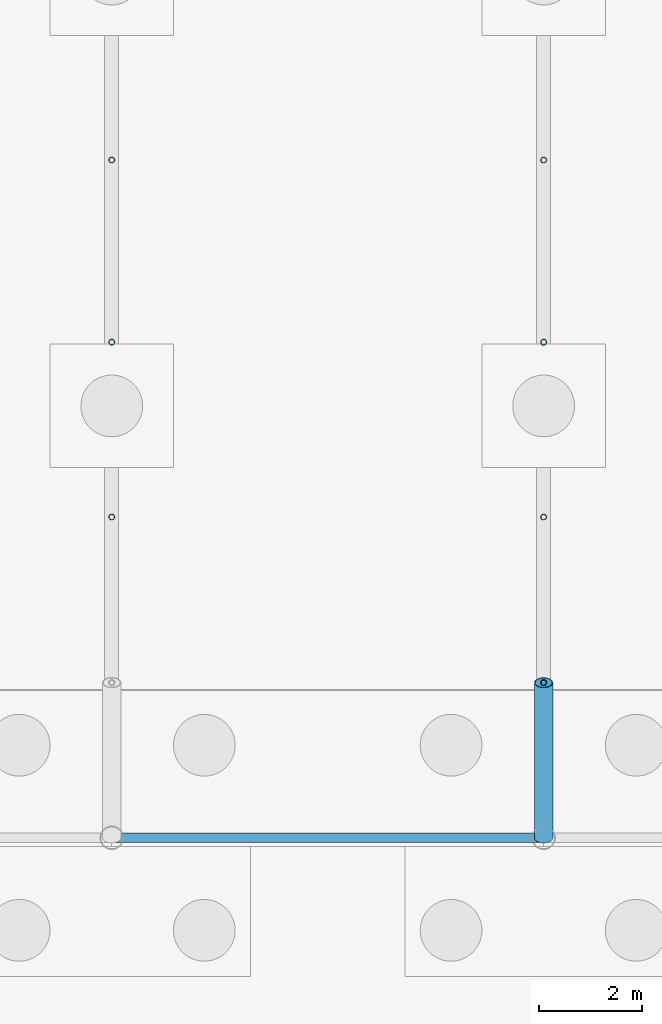
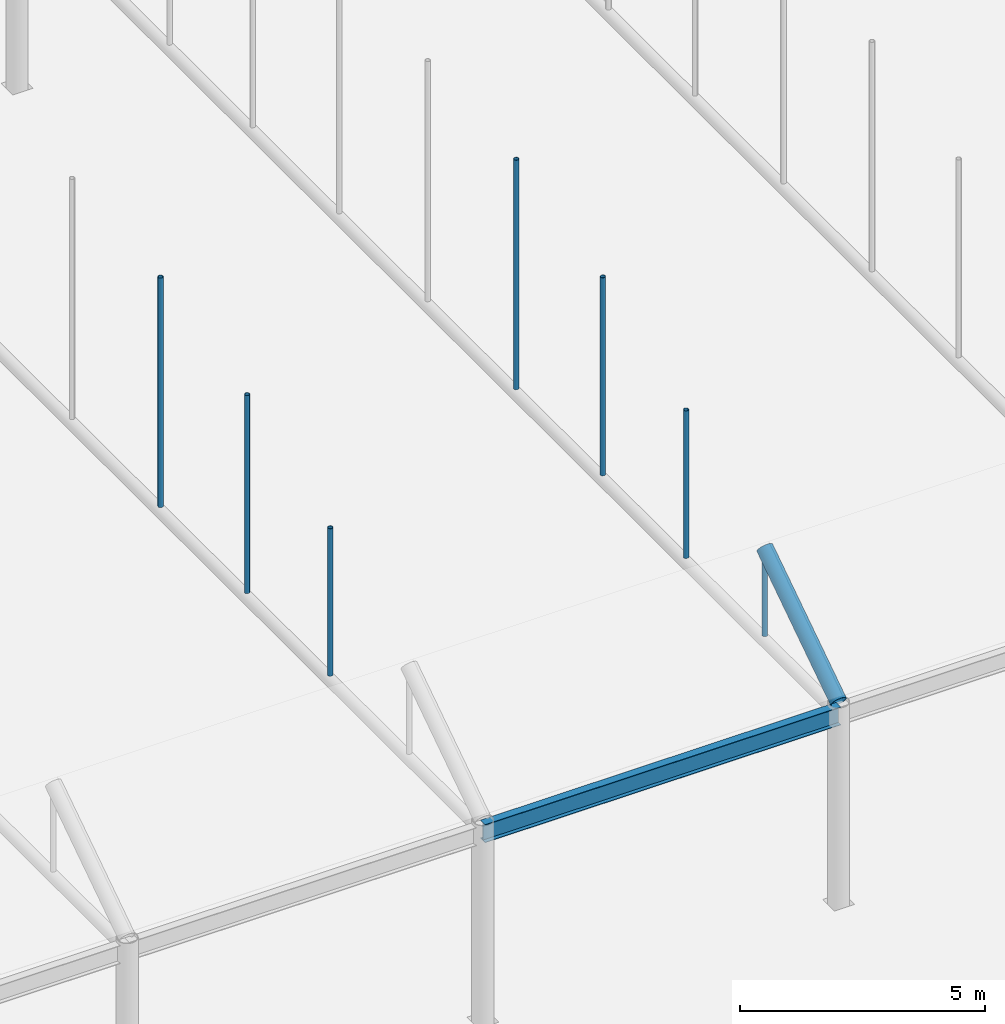
# One storey, part 61 of 212: 8 members, 1 beam.
"""IFC4 building model written with IfcOpenShell, lengths in metres."""

from ifc_helpers import new_model, si_unit, direction, frame, origin, origin_2d, place, context, subcontext, project, spatial, hollow_circle, i_section, extrude, material, material_profile, profile_set, type_object, element, save


model = new_model("IFC4")

# Units and contexts
model_context = context("Model", 3, precision=1e-05, world=origin(), true_north=direction((0.0, 1.0)))
body_context = subcontext(model_context, "Body", "Model", "MODEL_VIEW")
ifc_project = project(units=[si_unit("LENGTHUNIT", "METRE"), si_unit("AREAUNIT", "SQUARE_METRE"), si_unit("VOLUMEUNIT", "CUBIC_METRE"), si_unit("PLANEANGLEUNIT", "RADIAN"), si_unit("MASSUNIT", "GRAM", prefix="KILO")], contexts=[model_context])

# Site, building, storey
site_placement = place(None, origin())
site = spatial("IfcSite", under=ifc_project, at=site_placement, CompositionType="ELEMENT")
building_placement = place(site_placement, origin())
building = spatial("IfcBuilding", under=site, at=building_placement, Name="Catenary Quay Ferry Terminal", CompositionType="ELEMENT")
storey_placement = place(building_placement, origin())
storey = spatial("IfcBuildingStorey", under=building, at=storey_placement, Name="L00", CompositionType="ELEMENT", Elevation=0.0)

# Beam
ifc_material_1 = material(Name="Steel S355", Category="steel")
ifc_material_profile_1 = material_profile(ifc_material_1, i_section(OverallWidth=0.18994140625, OverallDepth=0.453369140625, WebThickness=0.008544921875, FlangeThickness=0.0126953125, at=origin_2d()), Name="UB 457x191x67")
ifc_profile_set_1 = profile_set([ifc_material_profile_1], Name="Steel S355")
beam_type = type_object("IfcBeamType", Name="B1 UB 457x191x67", PredefinedType="BEAM", material=ifc_profile_set_1)
beam_placement = place(storey_placement, frame((67.199951171875, 16.800048828125, 4.699951171875), z_axis=(1.0, 0.0, 0.0), x_axis=(0.0, 1.0, 0.0)))
element("IfcBeam", 1, at=beam_placement, inside=storey, type_object=beam_type, Name="Eaves beam B-CA3-7", PredefinedType="BEAM", context=body_context, shape_type="SweptSolid", body=[
    extrude(i_section(OverallWidth=0.18994140625, OverallDepth=0.453369140625, WebThickness=0.008544921875, FlangeThickness=0.0126953125, at=origin_2d()), origin(), (0.0, 0.0, 1.0), 8.400146484375),
])

# Members
ifc_material_2 = material(Name="Steel S355", Category="steel")
ifc_material_profile_2 = material_profile(ifc_material_2, hollow_circle(Radius=0.05712890625, WallThickness=0.00634765625, at=origin_2d()), Name="CHS 114.3x6.3")
ifc_profile_set_2 = profile_set([ifc_material_profile_2], Name="Steel S355")
member_type_1 = type_object("IfcMemberType", Name="HG1 CHS 114.3x6.3", PredefinedType="POST", material=ifc_profile_set_2)
member_1_placement = place(storey_placement, frame((67.199951171875, 23.0380859375, 4.830078125), z_axis=(0.0, 0.0, 1.0), x_axis=(1.0, 0.0, 0.0)))
element("IfcMember", 2, at=member_1_placement, inside=storey, type_object=member_type_1, Name="Hanger CA-07-02", PredefinedType="POST", context=body_context, shape_type="SweptSolid", body=[
    extrude(hollow_circle(Radius=0.05712890625, WallThickness=0.00634765625, at=origin_2d()), origin(), (0.0, 0.0, 1.0), 3.681884765625),
])
member_2_placement = place(storey_placement, frame((67.199951171875, 26.43994140625, 4.830078125), z_axis=(0.0, 0.0, 1.0), x_axis=(1.0, 0.0, 0.0)))
element("IfcMember", 3, at=member_2_placement, inside=storey, type_object=member_type_1, Name="Hanger CA-07-03", PredefinedType="POST", context=body_context, shape_type="SweptSolid", body=[
    extrude(hollow_circle(Radius=0.05712890625, WallThickness=0.00634765625, at=origin_2d()), origin(), (0.0, 0.0, 1.0), 4.94287109375),
])
member_3_placement = place(storey_placement, frame((67.199951171875, 29.98193359375, 4.830078125), z_axis=(0.0, 0.0, 1.0), x_axis=(1.0, 0.0, 0.0)))
element("IfcMember", 4, at=member_3_placement, inside=storey, type_object=member_type_1, Name="Hanger CA-07-04", PredefinedType="POST", context=body_context, shape_type="SweptSolid", body=[
    extrude(hollow_circle(Radius=0.05712890625, WallThickness=0.00634765625, at=origin_2d()), origin(), (0.0, 0.0, 1.0), 5.72998046875),
])
member_4_placement = place(storey_placement, frame((75.60009765625, 19.818115234375, 4.830078125), z_axis=(0.0, 0.0, 1.0), x_axis=(1.0, 0.0, 0.0)))
element("IfcMember", 5, at=member_4_placement, inside=storey, type_object=member_type_1, Name="Hanger CA-08-01", PredefinedType="POST", context=body_context, shape_type="SweptSolid", body=[
    extrude(hollow_circle(Radius=0.05712890625, WallThickness=0.00634765625, at=origin_2d()), origin(), (0.0, 0.0, 1.0), 2.010986328125),
])
member_5_placement = place(storey_placement, frame((75.60009765625, 23.0380859375, 4.830078125), z_axis=(0.0, 0.0, 1.0), x_axis=(1.0, 0.0, 0.0)))
element("IfcMember", 6, at=member_5_placement, inside=storey, type_object=member_type_1, Name="Hanger CA-08-02", PredefinedType="POST", context=body_context, shape_type="SweptSolid", body=[
    extrude(hollow_circle(Radius=0.05712890625, WallThickness=0.00634765625, at=origin_2d()), origin(), (0.0, 0.0, 1.0), 3.681884765625),
])
member_6_placement = place(storey_placement, frame((75.60009765625, 26.43994140625, 4.830078125), z_axis=(0.0, 0.0, 1.0), x_axis=(1.0, 0.0, 0.0)))
element("IfcMember", 7, at=member_6_placement, inside=storey, type_object=member_type_1, Name="Hanger CA-08-03", PredefinedType="POST", context=body_context, shape_type="SweptSolid", body=[
    extrude(hollow_circle(Radius=0.05712890625, WallThickness=0.00634765625, at=origin_2d()), origin(), (0.0, 0.0, 1.0), 4.94287109375),
])
member_7_placement = place(storey_placement, frame((75.60009765625, 29.98193359375, 4.830078125), z_axis=(0.0, 0.0, 1.0), x_axis=(1.0, 0.0, 0.0)))
element("IfcMember", 8, at=member_7_placement, inside=storey, type_object=member_type_1, Name="Hanger CA-08-04", PredefinedType="POST", context=body_context, shape_type="SweptSolid", body=[
    extrude(hollow_circle(Radius=0.05712890625, WallThickness=0.00634765625, at=origin_2d()), origin(), (0.0, 0.0, 1.0), 5.72998046875),
])
ifc_material_3 = material(Name="Steel S355", Category="steel")
ifc_material_profile_3 = material_profile(ifc_material_3, hollow_circle(Radius=0.177734375, WallThickness=0.012451171875, at=origin_2d()), Name="CHS 355.6x12.5")
ifc_profile_set_3 = profile_set([ifc_material_profile_3], Name="Steel S355")
member_type_2 = type_object("IfcMemberType", Name="VR1 CHS 355.6x12.5", PredefinedType="RAFTER", material=ifc_profile_set_3)
member_8_placement = place(storey_placement, frame((75.60009765625, 16.800048828125, 5.0), z_axis=(0.0, 0.831936388081, 0.554871017613), x_axis=(-1.0, 0.0, 0.0)))
element("IfcMember", 9, at=member_8_placement, inside=storey, type_object=member_type_2, Name="rib CA-08-01", PredefinedType="RAFTER", context=body_context, shape_type="SweptSolid", body=[
    extrude(hollow_circle(Radius=0.177734375, WallThickness=0.012451171875, at=origin_2d()), origin(), (0.0, 0.0, 1.0), 3.627685546875),
])

save(model, "model.ifc")
